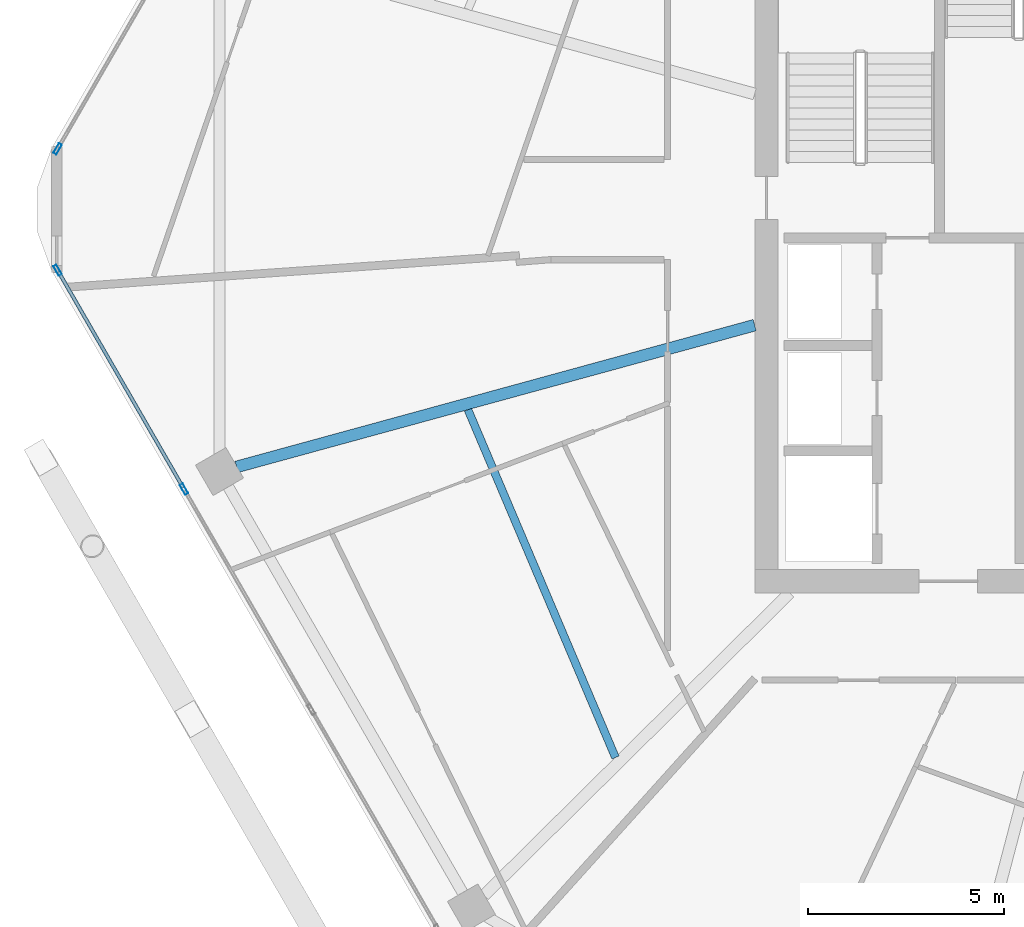
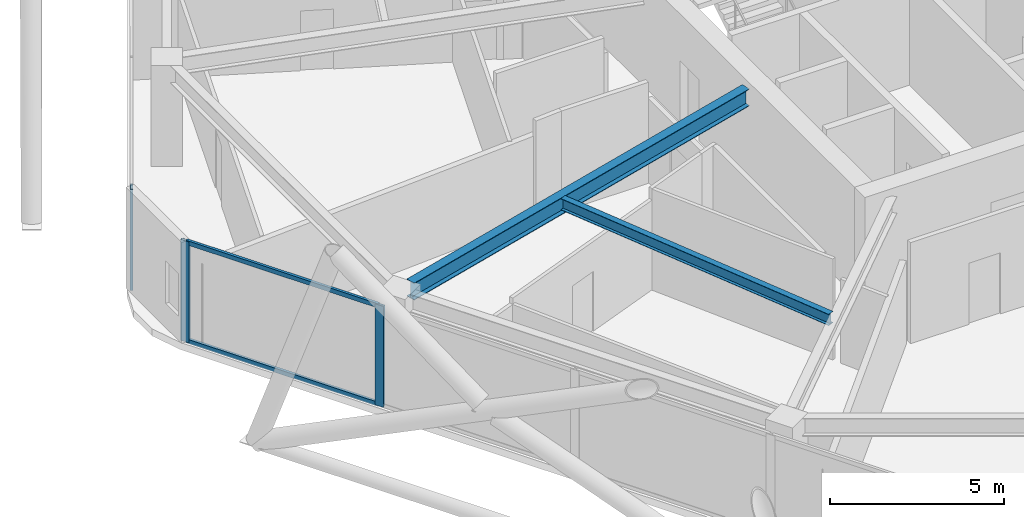
# One storey, part 6 of 26: 5 members, 2 beams, 2 elements without a shape of their own.
"""IFC4 building model written with IfcOpenShell, lengths in metres."""

from ifc_helpers import new_model, si_unit, direction, frame, origin, origin_2d, place, context, subcontext, project, spatial, hollow_rectangle, i_section, extrude, material, material_profile, profile_set, type_object, element, aggregate, save


model = new_model("IFC4")

# Units and contexts
model_context = context("Model", 3, precision=1e-05, world=origin(), true_north=direction((0.0, 1.0)))
body_context = subcontext(model_context, "Body", "Model", "MODEL_VIEW")
ifc_project = project(units=[si_unit("LENGTHUNIT", "METRE"), si_unit("AREAUNIT", "SQUARE_METRE"), si_unit("VOLUMEUNIT", "CUBIC_METRE"), si_unit("PLANEANGLEUNIT", "RADIAN"), si_unit("MASSUNIT", "GRAM", prefix="KILO")], contexts=[model_context])

# Site, building, storey
site_placement = place(None, origin())
site = spatial("IfcSite", under=ifc_project, at=site_placement, CompositionType="ELEMENT")
building_placement = place(site_placement, origin())
building = spatial("IfcBuilding", under=site, at=building_placement, Name="Zuhravey Tower", CompositionType="ELEMENT")
storey_placement = place(building_placement, frame((0.0, 0.0, 231.199951171875)))
storey = spatial("IfcBuildingStorey", under=building, at=storey_placement, Name="L58", CompositionType="ELEMENT", Elevation=231.199951171875)

# Curtain wall, members
ifc_material_1 = material(Name="Thermally broken anodised aluminium", Category="aluminium")
curtain_wall_type = type_object("IfcCurtainWallType", Name="Zone 3-4 High-Rise Curtain Wall CW4", PredefinedType="NOTDEFINED", material=ifc_material_1)
curtain_wall_1_placement = place(storey_placement, origin())
curtain_wall_1 = element("IfcCurtainWall", 1, at=curtain_wall_1_placement, inside=storey, type_object=curtain_wall_type, Name="L58 CW4 CW-L58-F4-1", PredefinedType="NOTDEFINED")
ifc_material_2 = material(Name="Anodised aluminium", Category="aluminium")
ifc_material_profile_1 = material_profile(ifc_material_2, hollow_rectangle(XDim=0.090087890625, YDim=0.284912109375, WallThickness=0.0048828125, at=origin_2d()), Name="ALU-RHS-90x285x5")
ifc_profile_set_1 = profile_set([ifc_material_profile_1], Name="Anodised aluminium")
member_type_1 = type_object("IfcMemberType", Name="Curtain-Wall Mullion 90x180", PredefinedType="MULLION", material=ifc_profile_set_1)
member_1_placement = place(storey_placement, frame((10.608154296875, 24.852783203125, 0.0), z_axis=(0.0, 0.0, 1.0), x_axis=(-0.866024851021, -0.500000957414, 0.0)))
member_1 = element("IfcMember", 2, at=member_1_placement, type_object=member_type_1, Name="CW4 mullion 4", PredefinedType="MULLION", context=body_context, shape_type="SweptSolid", body=[
    extrude(hollow_rectangle(XDim=0.090087890625, YDim=0.284912109375, WallThickness=0.0048828125, at=origin_2d()), origin(), (0.0, 0.0, 1.0), 3.550048828125),
])
member_2_placement = place(storey_placement, frame((7.37744140625, 30.448486328125, 0.0), z_axis=(0.0, 0.0, 1.0), x_axis=(-0.866024851021, -0.500000957414, 0.0)))
member_2 = element("IfcMember", 3, at=member_2_placement, type_object=member_type_1, Name="CW4 mullion 5", PredefinedType="MULLION", context=body_context, shape_type="SweptSolid", body=[
    extrude(hollow_rectangle(XDim=0.090087890625, YDim=0.284912109375, WallThickness=0.0048828125, at=origin_2d()), origin(), (0.0, 0.0, 1.0), 3.550048828125),
])

# Curtain wall, member
curtain_wall_2_placement = place(storey_placement, origin())
curtain_wall_2 = element("IfcCurtainWall", 4, at=curtain_wall_2_placement, inside=storey, type_object=curtain_wall_type, Name="L58 CW4 CW-L58-F3-1", PredefinedType="NOTDEFINED")
member_3_placement = place(storey_placement, frame((7.37744140625, 33.551513671875, 0.0), z_axis=(0.0, 0.0, 1.0), x_axis=(-0.866024851021, 0.500000957414, 0.0)))
member_3 = element("IfcMember", 5, at=member_3_placement, type_object=member_type_1, Name="CW4 mullion 1", PredefinedType="MULLION", context=body_context, shape_type="SweptSolid", body=[
    extrude(hollow_rectangle(XDim=0.090087890625, YDim=0.284912109375, WallThickness=0.0048828125, at=origin_2d()), origin(), (0.0, 0.0, 1.0), 3.550048828125),
])
aggregate(curtain_wall_2, [member_3])

# Member
ifc_material_profile_2 = material_profile(ifc_material_2, hollow_rectangle(XDim=0.090087890625, YDim=0.14990234375, WallThickness=0.0048828125, at=origin_2d()), Name="ALU-RHS-90x150x5")
ifc_profile_set_2 = profile_set([ifc_material_profile_2], Name="Anodised aluminium")
member_type_2 = type_object("IfcMemberType", Name="Curtain-Wall Transom 90x150", PredefinedType="USERDEFINED", material=ifc_profile_set_2)
member_4_placement = place(storey_placement, frame((10.585693359375, 24.891845703125, 0.045166015625), z_axis=(-0.500008810174, 0.866020317169, 0.0), x_axis=(-0.866020317169, -0.500008810174, 0.0)))
member_4 = element("IfcMember", 6, at=member_4_placement, type_object=member_type_2, Name="CW4 transom 4.1", ObjectType="TRANSOM", PredefinedType="USERDEFINED", context=body_context, shape_type="SweptSolid", body=[
    extrude(hollow_rectangle(XDim=0.090087890625, YDim=0.14990234375, WallThickness=0.0048828125, at=origin_2d()), origin(), (0.0, 0.0, 1.0), 6.37158203125),
])

member_5_placement = place(storey_placement, frame((10.585693359375, 24.891845703125, 3.505126953125), z_axis=(-0.500008810174, 0.866020317169, 0.0), x_axis=(-0.866020317169, -0.500008810174, 0.0)))
member_5 = element("IfcMember", 7, at=member_5_placement, type_object=member_type_2, Name="CW4 transom 4.2", ObjectType="TRANSOM", PredefinedType="USERDEFINED", context=body_context, shape_type="SweptSolid", body=[
    extrude(hollow_rectangle(XDim=0.090087890625, YDim=0.14990234375, WallThickness=0.0048828125, at=origin_2d()), origin(), (0.0, 0.0, 1.0), 6.37158203125),
])

aggregate(curtain_wall_1, [member_1, member_2, member_4, member_5])

# Beams
ifc_material_3 = material(Name="Steel SM355", Category="steel")
ifc_material_profile_3 = material_profile(ifc_material_3, i_section(OverallWidth=0.300048828125, OverallDepth=0.60009765625, WebThickness=0.011962890625, FlangeThickness=0.02001953125, at=origin_2d()), Name="H-600x300x12x20")
ifc_profile_set_3 = profile_set([ifc_material_profile_3], Name="Steel SM355")
beam_type_1 = type_object("IfcBeamType", Name="Radial Primary Girder H600x300", PredefinedType="BEAM", material=ifc_profile_set_3)
beam_1_placement = place(storey_placement, frame((25.197021484375, 29.04443359375, 3.25), z_axis=(-0.964548913045, -0.26390413855, 0.0), x_axis=(0.26390413855, -0.964548913045, 0.0)))
element("IfcBeam", 8, at=beam_1_placement, inside=storey, type_object=beam_type_1, Name="L58 RG3 BM-L58-RAD-07", PredefinedType="BEAM", context=body_context, shape_type="SweptSolid", body=[
    extrude(i_section(OverallWidth=0.300048828125, OverallDepth=0.60009765625, WebThickness=0.011962890625, FlangeThickness=0.02001953125, at=origin_2d()), origin(), (0.0, 0.0, 1.0), 13.7314453125),
])
ifc_material_profile_4 = material_profile(ifc_material_3, i_section(OverallWidth=0.199951171875, OverallDepth=0.39990234375, WebThickness=0.008056640625, FlangeThickness=0.012939453125, at=origin_2d()), Name="H-400x200x8x13")
ifc_profile_set_4 = profile_set([ifc_material_profile_4], Name="Steel SM355")
beam_type_2 = type_object("IfcBeamType", Name="Secondary Floor Joist H400x200", PredefinedType="JOIST", material=ifc_profile_set_4)
beam_2_placement = place(storey_placement, frame((17.869140625, 26.881103515625, 3.35009765625), z_axis=(0.390413493754, -0.920639616731, 0.0), x_axis=(0.920639616731, 0.390413493754, 0.0)))
element("IfcBeam", 9, at=beam_2_placement, inside=storey, type_object=beam_type_2, Name="L58 SJ2 BM-L58-SJ-07-1", PredefinedType="JOIST", context=body_context, shape_type="SweptSolid", body=[
    extrude(i_section(OverallWidth=0.199951171875, OverallDepth=0.39990234375, WebThickness=0.008056640625, FlangeThickness=0.012939453125, at=origin_2d()), origin(), (0.0, 0.0, 1.0), 9.656494140625),
])

save(model, "model.ifc")
